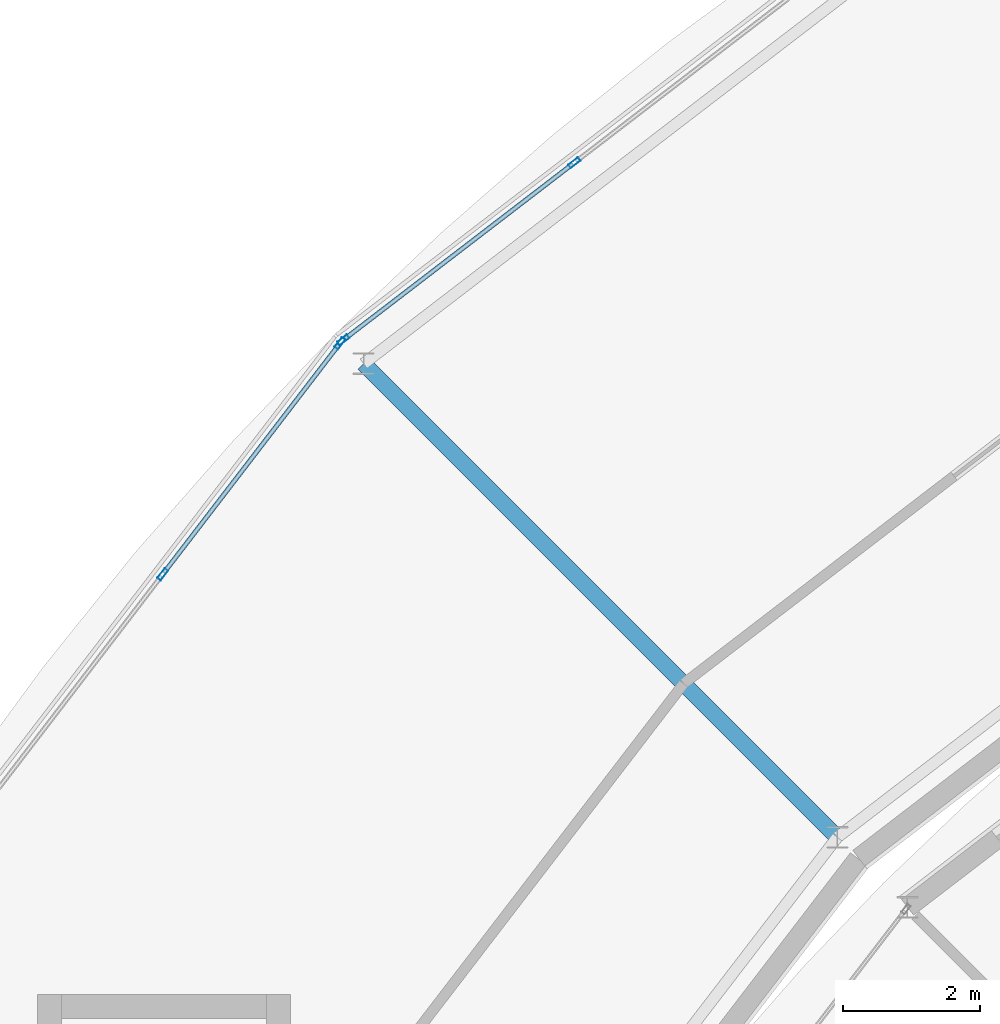
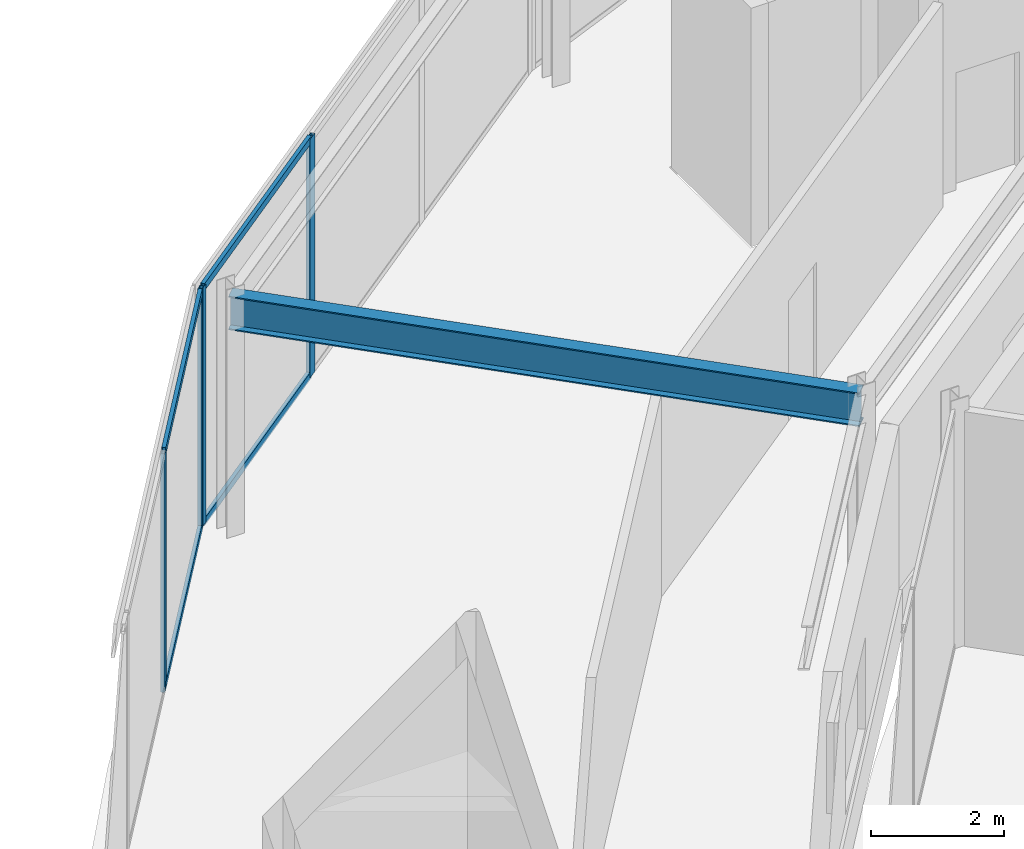
# One storey, part 39 of 116: 8 members, 1 beam, 2 elements without a shape of their own.
"""IFC4 building model written with IfcOpenShell, lengths in metres."""

from ifc_helpers import new_model, si_unit, direction, frame, origin, origin_2d, place, context, subcontext, project, spatial, hollow_rectangle, i_section, extrude, material, material_profile, profile_set, type_object, element, aggregate, save


model = new_model("IFC4")

# Units and contexts
model_context = context("Model", 3, precision=1e-05, world=origin(), true_north=direction((0.0, 1.0)))
body_context = subcontext(model_context, "Body", "Model", "MODEL_VIEW")
ifc_project = project(units=[si_unit("LENGTHUNIT", "METRE"), si_unit("AREAUNIT", "SQUARE_METRE"), si_unit("VOLUMEUNIT", "CUBIC_METRE"), si_unit("PLANEANGLEUNIT", "RADIAN"), si_unit("MASSUNIT", "GRAM", prefix="KILO")], contexts=[model_context])

# Site, building, storey
site_placement = place(None, origin())
site = spatial("IfcSite", under=ifc_project, at=site_placement, CompositionType="ELEMENT")
building_placement = place(site_placement, origin())
building = spatial("IfcBuilding", under=site, at=building_placement, Name="Almandine Court Research Institute", CompositionType="ELEMENT")
storey_placement = place(building_placement, frame((0.0, 0.0, 14.35009765625)))
storey = spatial("IfcBuildingStorey", under=building, at=storey_placement, Name="L03", CompositionType="ELEMENT", Elevation=14.35009765625)

# Beam
ifc_material_1 = material(Name="Steel ASTM A992 Grade 50", Category="steel")
ifc_material_profile_1 = material_profile(ifc_material_1, i_section(OverallWidth=0.22998046875, OverallDepth=0.616943359375, WebThickness=0.012939453125, FlangeThickness=0.02197265625, at=origin_2d()), Name="W610x140")
ifc_profile_set_1 = profile_set([ifc_material_profile_1], Name="Steel ASTM A992 Grade 50")
beam_type = type_object("IfcBeamType", Name="Beam-G-02", PredefinedType="BEAM", material=ifc_profile_set_1)
beam_placement = place(storey_placement, frame((59.35205078125, 83.64794921875, 4.06201171875), z_axis=(-0.707106781187, 0.707106781187, 0.0), x_axis=(-0.707106781187, -0.707106781187, 0.0)))
element("IfcBeam", 1, at=beam_placement, inside=storey, type_object=beam_type, Name="L03 Drum Radial Girder 09", PredefinedType="BEAM", context=body_context, shape_type="SweptSolid", body=[
    extrude(i_section(OverallWidth=0.22998046875, OverallDepth=0.616943359375, WebThickness=0.012939453125, FlangeThickness=0.02197265625, at=origin_2d()), origin(), (0.0, 0.0, 1.0), 9.80029296875),
])

# Curtain wall, members
ifc_material_2 = material(Name="Unitised Curtain Wall Framing and Solar Glazing", Category="glass")
curtain_wall_type = type_object("IfcCurtainWallType", Name="CW-CWJ-19", PredefinedType="USERDEFINED", material=ifc_material_2)
curtain_wall_1_placement = place(storey_placement, origin())
curtain_wall_1 = element("IfcCurtainWall", 2, at=curtain_wall_1_placement, inside=storey, type_object=curtain_wall_type, Name="L03 Stacked-Ring Drum Outer Solar Jali Screen 08", ObjectType="SOLAR JALI SCREEN", PredefinedType="USERDEFINED")
ifc_material_3 = material(Name="Anodised Aluminium AW-6063-T6", Category="aluminium")
ifc_material_profile_2 = material_profile(ifc_material_3, hollow_rectangle(XDim=0.06494140625, YDim=0.179931640625, WallThickness=0.00390625, at=origin_2d()), Name="ALU RHS 65x180x4")
ifc_profile_set_2 = profile_set([ifc_material_profile_2], Name="Anodised Aluminium AW-6063-T6")
member_type_1 = type_object("IfcMemberType", Name="CWMul-65x180", PredefinedType="MULLION", material=ifc_profile_set_2)
member_1_placement = place(storey_placement, frame((52.125732421875, 90.92578125, 0.0), z_axis=(0.0, 0.0, 1.0), x_axis=(-0.608723313303, 0.793382586046, 0.0)))
member_1 = element("IfcMember", 3, at=member_1_placement, type_object=member_type_1, Name="CWJ-19 mullion 1", PredefinedType="MULLION", context=body_context, shape_type="SweptSolid", body=[
    extrude(hollow_rectangle(XDim=0.06494140625, YDim=0.179931640625, WallThickness=0.00390625, at=origin_2d()), origin(), (0.0, 0.0, 1.0), 4.369873046875),
])
member_2_placement = place(storey_placement, frame((55.505615234375, 93.51904296875, 0.0), z_axis=(0.0, 0.0, 1.0), x_axis=(-0.608723313303, 0.793382586046, 0.0)))
member_2 = element("IfcMember", 4, at=member_2_placement, type_object=member_type_1, Name="CWJ-19 mullion 2", PredefinedType="MULLION", context=body_context, shape_type="SweptSolid", body=[
    extrude(hollow_rectangle(XDim=0.06494140625, YDim=0.179931640625, WallThickness=0.00390625, at=origin_2d()), origin(), (0.0, 0.0, 1.0), 4.369873046875),
])

curtain_wall_2_placement = place(storey_placement, origin())
curtain_wall_2 = element("IfcCurtainWall", 5, at=curtain_wall_2_placement, inside=storey, type_object=curtain_wall_type, Name="L03 Stacked-Ring Drum Outer Solar Jali Screen 09", ObjectType="SOLAR JALI SCREEN", PredefinedType="USERDEFINED")
member_3_placement = place(storey_placement, frame((49.48095703125, 87.494384765625, 0.0), z_axis=(0.0, 0.0, 1.0), x_axis=(-0.793382586046, 0.608723313303, 0.0)))
member_3 = element("IfcMember", 6, at=member_3_placement, type_object=member_type_1, Name="CWJ-19 mullion 3", PredefinedType="MULLION", context=body_context, shape_type="SweptSolid", body=[
    extrude(hollow_rectangle(XDim=0.06494140625, YDim=0.179931640625, WallThickness=0.00390625, at=origin_2d()), origin(), (0.0, 0.0, 1.0), 4.369873046875),
])
member_4_placement = place(storey_placement, frame((52.07421875, 90.874267578125, 0.0), z_axis=(0.0, 0.0, 1.0), x_axis=(-0.793382586046, 0.608723313303, 0.0)))
member_4 = element("IfcMember", 7, at=member_4_placement, type_object=member_type_1, Name="CWJ-19 mullion 4", PredefinedType="MULLION", context=body_context, shape_type="SweptSolid", body=[
    extrude(hollow_rectangle(XDim=0.06494140625, YDim=0.179931640625, WallThickness=0.00390625, at=origin_2d()), origin(), (0.0, 0.0, 1.0), 4.369873046875),
])

# Member
ifc_material_profile_3 = material_profile(ifc_material_3, hollow_rectangle(XDim=0.06494140625, YDim=0.1298828125, WallThickness=0.00390625, at=origin_2d()), Name="ALU RHS 65x130x4")
ifc_profile_set_3 = profile_set([ifc_material_profile_3], Name="Anodised Aluminium AW-6063-T6")
member_type_2 = type_object("IfcMemberType", Name="CWTrn-65x130", PredefinedType="NOTDEFINED", material=ifc_profile_set_3)
member_5_placement = place(storey_placement, frame((52.151611328125, 90.945556640625, 0.032470703125), z_axis=(0.793380569658, 0.608725941364, 0.0), x_axis=(-0.608725941364, 0.793380569658, 0.0)))
member_5 = element("IfcMember", 8, at=member_5_placement, type_object=member_type_2, Name="CWJ-19 transom 1.1", ObjectType="TRANSOM", PredefinedType="USERDEFINED", context=body_context, shape_type="SweptSolid", body=[
    extrude(hollow_rectangle(XDim=0.06494140625, YDim=0.1298828125, WallThickness=0.00390625, at=origin_2d()), origin(), (0.0, 0.0, 1.0), 4.195068359375),
])

member_6_placement = place(storey_placement, frame((52.151611328125, 90.945556640625, 4.33740234375), z_axis=(0.793380569658, 0.608725941364, 0.0), x_axis=(-0.608725941364, 0.793380569658, 0.0)))
member_6 = element("IfcMember", 9, at=member_6_placement, type_object=member_type_2, Name="CWJ-19 transom 1.2", ObjectType="TRANSOM", PredefinedType="USERDEFINED", context=body_context, shape_type="SweptSolid", body=[
    extrude(hollow_rectangle(XDim=0.06494140625, YDim=0.1298828125, WallThickness=0.00390625, at=origin_2d()), origin(), (0.0, 0.0, 1.0), 4.195068359375),
])

aggregate(curtain_wall_1, [member_1, member_2, member_5, member_6])

member_7_placement = place(storey_placement, frame((49.500732421875, 87.52001953125, 0.032470703125), z_axis=(0.608725941364, 0.793380569658, 0.0), x_axis=(-0.793380569658, 0.608725941364, 0.0)))
member_7 = element("IfcMember", 10, at=member_7_placement, type_object=member_type_2, Name="CWJ-19 transom 3.1", ObjectType="TRANSOM", PredefinedType="USERDEFINED", context=body_context, shape_type="SweptSolid", body=[
    extrude(hollow_rectangle(XDim=0.06494140625, YDim=0.1298828125, WallThickness=0.00390625, at=origin_2d()), origin(), (0.0, 0.0, 1.0), 4.195068359375),
])

member_8_placement = place(storey_placement, frame((49.500732421875, 87.52001953125, 4.33740234375), z_axis=(0.608725941364, 0.793380569658, 0.0), x_axis=(-0.793380569658, 0.608725941364, 0.0)))
member_8 = element("IfcMember", 11, at=member_8_placement, type_object=member_type_2, Name="CWJ-19 transom 3.2", ObjectType="TRANSOM", PredefinedType="USERDEFINED", context=body_context, shape_type="SweptSolid", body=[
    extrude(hollow_rectangle(XDim=0.06494140625, YDim=0.1298828125, WallThickness=0.00390625, at=origin_2d()), origin(), (0.0, 0.0, 1.0), 4.195068359375),
])

aggregate(curtain_wall_2, [member_3, member_4, member_7, member_8])

save(model, "model.ifc")
